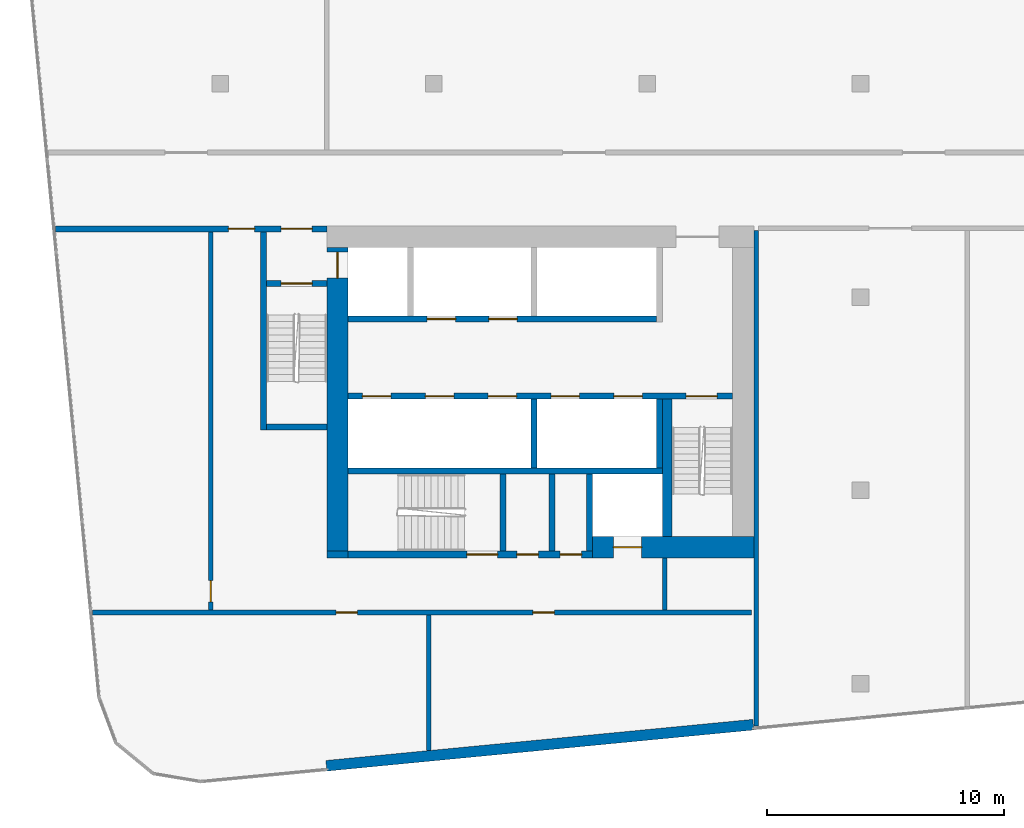
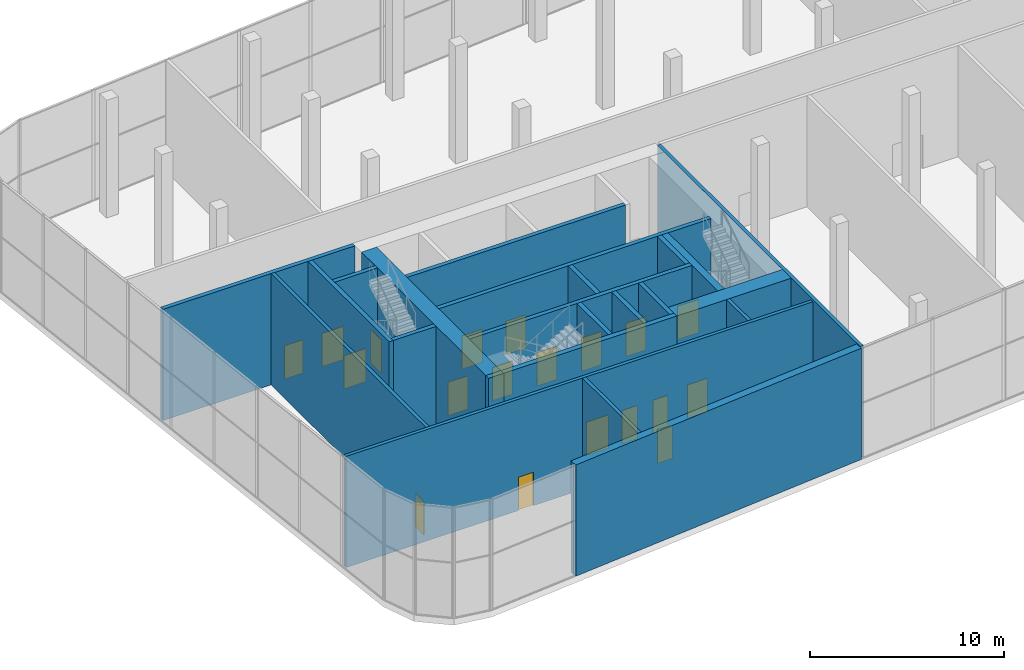
# One storey, part 12 of 25: 23 walls, 19 doors, 19 openings.
"""IFC4 building model written with IfcOpenShell, lengths in metres."""

from ifc_helpers import new_model, si_unit, direction, frame, frame_2d, origin, place, context, subcontext, project, spatial, rectangle, extrude, material, layer, layer_set, type_object, element, fill, save


model = new_model("IFC4")

# Units and contexts
model_context = context("Model", 3, precision=1e-05, world=origin(), true_north=direction((0.0, 1.0)))
body_context = subcontext(model_context, "Body", "Model", "MODEL_VIEW")
ifc_project = project(units=[si_unit("LENGTHUNIT", "METRE"), si_unit("AREAUNIT", "SQUARE_METRE"), si_unit("VOLUMEUNIT", "CUBIC_METRE"), si_unit("PLANEANGLEUNIT", "RADIAN"), si_unit("MASSUNIT", "GRAM", prefix="KILO")], contexts=[model_context])

# Site, building, storey
site_placement = place(None, origin())
site = spatial("IfcSite", under=ifc_project, at=site_placement, CompositionType="ELEMENT")
building_placement = place(site_placement, origin())
building = spatial("IfcBuilding", under=site, at=building_placement, Name="Kajstack Hotel Tower", CompositionType="ELEMENT")
storey_placement = place(building_placement, frame((0.0, 0.0, 155.0)))
storey = spatial("IfcBuildingStorey", under=building, at=storey_placement, Name="L36", CompositionType="ELEMENT", Elevation=155.0)

# Wall, opening, door
ifc_material_1 = material(Name="Concrete C60/75", Category="concrete")
ifc_layer_1 = layer(ifc_material_1, 0.89990234375)
ifc_layer_set_1 = layer_set([ifc_layer_1], Name="Core wall 900")
wall_type_1 = type_object("IfcWallType", Name="Core wall 900", PredefinedType="SHEAR", material=ifc_layer_set_1)
wall_1_placement = place(storey_placement, frame((-20.300048828125, -15.050048828125, 0.0), z_axis=(0.0, 0.0, 1.0), x_axis=(1.0, 0.0, 0.0)))
wall_1 = element("IfcWall", 1, at=wall_1_placement, inside=storey, type_object=wall_type_1, Name="Core wall W RS", PredefinedType="SHEAR", context=body_context, shape_type="SweptSolid", body=[
    extrude(rectangle(XDim=6.800048828125, YDim=0.89990234375, at=frame_2d((3.39990234375, 0.0))), origin(), (0.0, 0.0, 1.0), 7.0),
])
opening_1_placement = place(wall_1_placement, frame((0.875, 0.0, 0.0)))
opening_1 = element("IfcOpeningElement", 2, at=opening_1_placement, cuts=wall_1, Name="Opening LD-SV1", PredefinedType="OPENING", context=body_context, shape_type="SweptSolid", body=[
    extrude(rectangle(XDim=1.199951171875, YDim=2.10009765625, at=frame_2d((0.60009765625, 1.050048828125))), frame((0.0, 0.4599609375, 0.0), z_axis=(0.0, -1.0, 0.0), x_axis=(1.0, 0.0, 0.0)), (0.0, 0.0, 1.0), 0.919921875),
])
ifc_material_2 = material(Name="Stainless steel", Category="steel")
door_type_1 = type_object("IfcDoorType", Name="Lift landing door 1200", OperationType="SLIDING_TO_LEFT", PredefinedType="DOOR", material=ifc_material_2)
door_1_placement = place(opening_1_placement, origin())
door_1 = element("IfcDoor", 3, at=door_1_placement, inside=storey, type_object=door_type_1, Name="Landing door SV1", OperationType="SLIDING_TO_LEFT", OverallHeight=2.10009765625, OverallWidth=1.199951171875, PredefinedType="DOOR", context=body_context, shape_type="SweptSolid", body=[
    extrude(rectangle(XDim=1.199951171875, YDim=2.10009765625, at=frame_2d((0.60009765625, 1.050048828125))), frame((0.0, 0.02490234375, 0.0), z_axis=(0.0, -1.0, 0.0), x_axis=(1.0, 0.0, 0.0)), (0.0, 0.0, 1.0), 0.050048828125),
])
fill(opening_1, door_1)

# Wall
wall_2_placement = place(storey_placement, frame((-31.5, -15.35009765625, 0.0), z_axis=(0.0, 0.0, 1.0), x_axis=(1.0, 0.0, 0.0)))
element("IfcWall", 4, at=wall_2_placement, inside=storey, type_object=wall_type_1, Name="Core wall W RSW", PredefinedType="SHEAR", context=body_context, shape_type="SweptSolid", body=[
    extrude(rectangle(XDim=0.89990234375, YDim=0.300048828125, at=frame_2d((0.449951171875, 0.0))), origin(), (0.0, 0.0, 1.0), 7.0),
])

# Wall, opening, door
wall_3_placement = place(storey_placement, frame((-31.050048828125, -15.199951171875, 0.0), z_axis=(0.0, 0.0, 1.0), x_axis=(0.0, 1.0, 0.0)))
wall_3 = element("IfcWall", 5, at=wall_3_placement, inside=storey, type_object=wall_type_1, Name="Core wall W RW", PredefinedType="SHEAR", context=body_context, shape_type="SweptSolid", body=[
    extrude(rectangle(XDim=12.800048828125, YDim=0.89990234375, at=frame_2d((6.39990234375, 0.0))), origin(), (0.0, 0.0, 1.0), 7.0),
])
opening_2_placement = place(wall_3_placement, frame((11.5, 0.0, 0.0)))
opening_2 = element("IfcOpeningElement", 6, at=opening_2_placement, cuts=wall_3, Name="Opening LD-FF1", PredefinedType="OPENING", context=body_context, shape_type="SweptSolid", body=[
    extrude(rectangle(XDim=1.10009765625, YDim=2.10009765625, at=frame_2d((0.550048828125, 1.050048828125))), frame((0.0, 0.4599609375, 0.0), z_axis=(0.0, -1.0, 0.0), x_axis=(1.0, 0.0, 0.0)), (0.0, 0.0, 1.0), 0.919921875),
])
door_type_2 = type_object("IfcDoorType", Name="Fire-fighting lift landing door 1100", OperationType="SLIDING_TO_LEFT", PredefinedType="DOOR", material=ifc_material_2)
door_2_placement = place(opening_2_placement, origin())
door_2 = element("IfcDoor", 7, at=door_2_placement, inside=storey, type_object=door_type_2, Name="Landing door FF1", OperationType="SLIDING_TO_RIGHT", OverallHeight=2.10009765625, OverallWidth=1.10009765625, PredefinedType="DOOR", context=body_context, shape_type="SweptSolid", body=[
    extrude(rectangle(XDim=1.10009765625, YDim=2.10009765625, at=frame_2d((0.550048828125, 1.050048828125))), frame((0.0, 0.02490234375, 0.0), z_axis=(0.0, -1.0, 0.0), x_axis=(1.0, 0.0, 0.0)), (0.0, 0.0, 1.0), 0.050048828125),
])
fill(opening_2, door_2)

# Walls
ifc_material_3 = material(Name="Concrete C40/50", Category="concrete")
ifc_layer_2 = layer(ifc_material_3, 0.449951171875)
ifc_layer_set_2 = layer_set([ifc_layer_2], Name="EW-CORE")
wall_type_2 = type_object("IfcWallType", Name="EW-CORE", PredefinedType="SOLIDWALL", material=ifc_layer_set_2)
wall_4_placement = place(storey_placement, frame((-31.521484375, -24.26171875, 0.0), z_axis=(0.0, 0.0, 1.0), x_axis=(0.995396454615, 0.095843091245, 0.0)))
element("IfcWall", 8, at=wall_4_placement, inside=storey, type_object=wall_type_2, Name="E-wall-L36-04-01", PredefinedType="SOLIDWALL", context=body_context, shape_type="SweptSolid", body=[
    extrude(rectangle(XDim=18.083251953125, YDim=0.449951171875, at=frame_2d((9.04150390625, 0.0))), origin(), (0.0, 0.0, 1.0), 7.0),
])
ifc_material_4 = material(Name="Concrete C50/60", Category="concrete")
ifc_layer_3 = layer(ifc_material_4, 0.300048828125)
ifc_layer_set_3 = layer_set([ifc_layer_3], Name="Hoistway divider wall 300")
wall_type_3 = type_object("IfcWallType", Name="Hoistway divider wall 300", PredefinedType="SHEAR", material=ifc_layer_set_3)
wall_5_placement = place(storey_placement, frame((-22.77490234375, -11.699951171875, 0.0), z_axis=(0.0, 0.0, 1.0), x_axis=(0.0, 1.0, 0.0)))
element("IfcWall", 9, at=wall_5_placement, inside=storey, type_object=wall_type_3, Name="Core wall W BP2", PredefinedType="SHEAR", context=body_context, shape_type="SweptSolid", body=[
    extrude(rectangle(XDim=2.89990234375, YDim=0.25, at=frame_2d((1.449951171875, 0.0))), origin(), (0.0, 0.0, 1.0), 7.0),
])
ifc_material_5 = material(Name="Gypsum board on steel studs, mineral wool", Category="steel")
ifc_layer_4 = layer(ifc_material_5, 0.199951171875)
ifc_layer_set_4 = layer_set([ifc_layer_4], Name="Public partition 200")
wall_type_4 = type_object("IfcWallType", Name="Public partition 200", PredefinedType="PARTITIONING", material=ifc_layer_set_4)
wall_6_placement = place(storey_placement, frame((-13.39990234375, -22.59228515625, 0.0), z_axis=(0.0, 0.0, 1.0), x_axis=(0.0, 1.0, 0.0)))
element("IfcWall", 10, at=wall_6_placement, inside=storey, type_object=wall_type_4, Name="Partition SEW", PredefinedType="PARTITIONING", context=body_context, shape_type="SweptSolid", body=[
    extrude(rectangle(XDim=20.892333984375, YDim=0.199951171875, at=frame_2d((10.4462890625, 0.0))), origin(), (0.0, 0.0, 1.0), 7.0),
])
ifc_material_6 = material(Name="Concrete block masonry", Category="masonry")
ifc_layer_5 = layer(ifc_material_6, 0.25)
ifc_layer_set_5 = layer_set([ifc_layer_5], Name="Riser partition 250")
wall_type_5 = type_object("IfcWallType", Name="Riser partition 250", PredefinedType="PARTITIONING", material=ifc_layer_set_5)
wall_7_placement = place(storey_placement, frame((-22.0, -15.199951171875, 0.0), z_axis=(0.0, 0.0, 1.0), x_axis=(0.0, 1.0, 0.0)))
element("IfcWall", 11, at=wall_7_placement, inside=storey, type_object=wall_type_5, Name="Partition W SZ0", PredefinedType="PARTITIONING", context=body_context, shape_type="SweptSolid", body=[
    extrude(rectangle(XDim=3.25, YDim=0.25, at=frame_2d((1.625, 0.0))), origin(), (0.0, 0.0, 1.0), 7.0),
])

# Wall, openings, doors
ifc_layer_6 = layer(ifc_material_5, 0.199951171875)
ifc_layer_set_6 = layer_set([ifc_layer_6], Name="Service partition 200")
wall_type_6 = type_object("IfcWallType", Name="Service partition 200", PredefinedType="PARTITIONING", material=ifc_layer_set_6)
wall_8_placement = place(storey_placement, frame((-42.932861328125, -1.625, 0.0), z_axis=(0.0, 0.0, 1.0), x_axis=(1.0, 0.0, 0.0)))
wall_8 = element("IfcWall", 12, at=wall_8_placement, inside=storey, type_object=wall_type_6, Name="Partition W SN", PredefinedType="PARTITIONING", context=body_context, shape_type="SweptSolid", body=[
    extrude(rectangle(XDim=11.432861328125, YDim=0.25, at=frame_2d((5.71630859375, 0.0))), origin(), (0.0, 0.0, 1.0), 7.0),
])
opening_3_placement = place(wall_8_placement, frame((9.5078125, 0.0, 0.0)))
opening_3 = element("IfcOpeningElement", 13, at=opening_3_placement, cuts=wall_8, Name="Opening 36W11", PredefinedType="OPENING", context=body_context, shape_type="SweptSolid", body=[
    extrude(rectangle(XDim=1.300048828125, YDim=2.10009765625, at=frame_2d((0.64990234375, 1.050048828125))), frame((0.0, 0.135009765625, 0.0), z_axis=(0.0, -1.0, 0.0), x_axis=(1.0, 0.0, 0.0)), (0.0, 0.0, 1.0), 0.27001953125),
])
opening_4_placement = place(wall_8_placement, frame((7.282958984375, 0.0, 0.0)))
opening_4 = element("IfcOpeningElement", 14, at=opening_4_placement, cuts=wall_8, Name="Opening 36W13", PredefinedType="OPENING", context=body_context, shape_type="SweptSolid", body=[
    extrude(rectangle(XDim=1.10009765625, YDim=2.10009765625, at=frame_2d((0.550048828125, 1.050048828125))), frame((0.0, 0.135009765625, 0.0), z_axis=(0.0, -1.0, 0.0), x_axis=(1.0, 0.0, 0.0)), (0.0, 0.0, 1.0), 0.27001953125),
])
ifc_material_7 = material(Name="Steel leaf, fire-rated", Category="steel")
door_type_3 = type_object("IfcDoorType", Name="Fire lobby door 1300", OperationType="SINGLE_SWING_LEFT", PredefinedType="DOOR", material=ifc_material_7)
door_3_placement = place(opening_3_placement, origin())
door_3 = element("IfcDoor", 15, at=door_3_placement, inside=storey, type_object=door_type_3, Name="Door 36W11", OperationType="SINGLE_SWING_RIGHT", OverallHeight=2.10009765625, OverallWidth=1.300048828125, PredefinedType="DOOR", context=body_context, shape_type="SweptSolid", body=[
    extrude(rectangle(XDim=1.300048828125, YDim=2.10009765625, at=frame_2d((0.64990234375, 1.050048828125))), frame((0.0, 0.02490234375, 0.0), z_axis=(0.0, -1.0, 0.0), x_axis=(1.0, 0.0, 0.0)), (0.0, 0.0, 1.0), 0.050048828125),
])
fill(opening_3, door_3)
ifc_material_8 = material(Name="Timber leaf, fire-rated", Category="wood")
door_type_4 = type_object("IfcDoorType", Name="Service corridor door 1100", OperationType="SINGLE_SWING_LEFT", PredefinedType="DOOR", material=ifc_material_8)
door_4_placement = place(opening_4_placement, origin())
door_4 = element("IfcDoor", 16, at=door_4_placement, inside=storey, type_object=door_type_4, Name="Door 36W13", OperationType="SINGLE_SWING_RIGHT", OverallHeight=2.10009765625, OverallWidth=1.10009765625, PredefinedType="DOOR", context=body_context, shape_type="SweptSolid", body=[
    extrude(rectangle(XDim=1.10009765625, YDim=2.10009765625, at=frame_2d((0.550048828125, 1.050048828125))), frame((0.0, 0.02490234375, 0.0), z_axis=(0.0, -1.0, 0.0), x_axis=(1.0, 0.0, 0.0)), (0.0, 0.0, 1.0), 0.050048828125),
])
fill(opening_4, door_4)

# Wall
wall_9_placement = place(storey_placement, frame((-17.25, -17.699951171875, 0.0), z_axis=(0.0, 0.0, 1.0), x_axis=(0.0, 1.0, 0.0)))
element("IfcWall", 17, at=wall_9_placement, inside=storey, type_object=wall_type_6, Name="Partition W SCE", PredefinedType="PARTITIONING", context=body_context, shape_type="SweptSolid", body=[
    extrude(rectangle(XDim=2.199951171875, YDim=0.199951171875, at=frame_2d((1.10009765625, 0.0))), origin(), (0.0, 0.0, 1.0), 7.0),
])

# Wall, opening, door
wall_10_placement = place(storey_placement, frame((-36.39990234375, -17.699951171875, 0.0), z_axis=(0.0, 0.0, 1.0), x_axis=(0.0, 1.0, 0.0)))
wall_10 = element("IfcWall", 18, at=wall_10_placement, inside=storey, type_object=wall_type_6, Name="Partition W WRE", PredefinedType="PARTITIONING", context=body_context, shape_type="SweptSolid", body=[
    extrude(rectangle(XDim=15.949951171875, YDim=0.199951171875, at=frame_2d((7.97509765625, 0.0))), origin(), (0.0, 0.0, 1.0), 7.0),
])
opening_5_placement = place(wall_10_placement, frame((0.35009765625, 0.0, 0.0)))
opening_5 = element("IfcOpeningElement", 19, at=opening_5_placement, cuts=wall_10, Name="Opening 36W20", PredefinedType="OPENING", context=body_context, shape_type="SweptSolid", body=[
    extrude(rectangle(XDim=0.89990234375, YDim=2.10009765625, at=frame_2d((0.449951171875, 1.050048828125))), frame((0.0, 0.10986328125, 0.0), z_axis=(0.0, -1.0, 0.0), x_axis=(1.0, 0.0, 0.0)), (0.0, 0.0, 1.0), 0.219970703125),
])
door_type_5 = type_object("IfcDoorType", Name="Service door 900", OperationType="SINGLE_SWING_LEFT", PredefinedType="DOOR", material=ifc_material_8)
door_5_placement = place(opening_5_placement, origin())
door_5 = element("IfcDoor", 20, at=door_5_placement, inside=storey, type_object=door_type_5, Name="Door 36W20", OperationType="SINGLE_SWING_LEFT", OverallHeight=2.10009765625, OverallWidth=0.89990234375, PredefinedType="DOOR", context=body_context, shape_type="SweptSolid", body=[
    extrude(rectangle(XDim=0.89990234375, YDim=2.10009765625, at=frame_2d((0.449951171875, 1.050048828125))), frame((0.0, 0.02490234375, 0.0), z_axis=(0.0, -1.0, 0.0), x_axis=(1.0, 0.0, 0.0)), (0.0, 0.0, 1.0), 0.050048828125),
])
fill(opening_5, door_5)

# Wall, openings, doors
wall_11_placement = place(storey_placement, frame((-41.37548828125, -17.800048828125, 0.0), z_axis=(0.0, 0.0, 1.0), x_axis=(1.0, 0.0, 0.0)))
wall_11 = element("IfcWall", 21, at=wall_11_placement, inside=storey, type_object=wall_type_6, Name="Partition W SLN", PredefinedType="PARTITIONING", context=body_context, shape_type="SweptSolid", body=[
    extrude(rectangle(XDim=27.775390625, YDim=0.199951171875, at=frame_2d((13.8876953125, 0.0))), origin(), (0.0, 0.0, 1.0), 7.0),
])
opening_6_placement = place(wall_11_placement, frame((10.262939453125, 0.0, 0.0)))
opening_6 = element("IfcOpeningElement", 22, at=opening_6_placement, cuts=wall_11, Name="Opening 36W18", PredefinedType="OPENING", context=body_context, shape_type="SweptSolid", body=[
    extrude(rectangle(XDim=0.89990234375, YDim=2.10009765625, at=frame_2d((0.449951171875, 1.050048828125))), frame((0.0, 0.10986328125, 0.0), z_axis=(0.0, -1.0, 0.0), x_axis=(1.0, 0.0, 0.0)), (0.0, 0.0, 1.0), 0.219970703125),
])
opening_7_placement = place(wall_11_placement, frame((18.56298828125, 0.0, 0.0)))
opening_7 = element("IfcOpeningElement", 23, at=opening_7_placement, cuts=wall_11, Name="Opening 36W19", PredefinedType="OPENING", context=body_context, shape_type="SweptSolid", body=[
    extrude(rectangle(XDim=0.89990234375, YDim=2.10009765625, at=frame_2d((0.449951171875, 1.050048828125))), frame((0.0, 0.10986328125, 0.0), z_axis=(0.0, -1.0, 0.0), x_axis=(1.0, 0.0, 0.0)), (0.0, 0.0, 1.0), 0.219970703125),
])
door_6_placement = place(opening_6_placement, origin())
door_6 = element("IfcDoor", 24, at=door_6_placement, inside=storey, type_object=door_type_5, Name="Door 36W18", OperationType="SINGLE_SWING_RIGHT", OverallHeight=2.10009765625, OverallWidth=0.89990234375, PredefinedType="DOOR", context=body_context, shape_type="SweptSolid", body=[
    extrude(rectangle(XDim=0.89990234375, YDim=2.10009765625, at=frame_2d((0.449951171875, 1.050048828125))), frame((0.0, 0.02490234375, 0.0), z_axis=(0.0, -1.0, 0.0), x_axis=(1.0, 0.0, 0.0)), (0.0, 0.0, 1.0), 0.050048828125),
])
fill(opening_6, door_6)
door_7_placement = place(opening_7_placement, origin())
door_7 = element("IfcDoor", 25, at=door_7_placement, inside=storey, type_object=door_type_5, Name="Door 36W19", OperationType="SINGLE_SWING_RIGHT", OverallHeight=2.10009765625, OverallWidth=0.89990234375, PredefinedType="DOOR", context=body_context, shape_type="SweptSolid", body=[
    extrude(rectangle(XDim=0.89990234375, YDim=2.10009765625, at=frame_2d((0.449951171875, 1.050048828125))), frame((0.0, 0.02490234375, 0.0), z_axis=(0.0, -1.0, 0.0), x_axis=(1.0, 0.0, 0.0)), (0.0, 0.0, 1.0), 0.050048828125),
])
fill(opening_7, door_7)

# Wall
wall_12_placement = place(storey_placement, frame((-27.199951171875, -23.62060546875, 0.0), z_axis=(0.0, 0.0, 1.0), x_axis=(0.0, 1.0, 0.0)))
element("IfcWall", 26, at=wall_12_placement, inside=storey, type_object=wall_type_6, Name="Partition W SLP0", PredefinedType="PARTITIONING", context=body_context, shape_type="SweptSolid", body=[
    extrude(rectangle(XDim=5.720703125, YDim=0.199951171875, at=frame_2d((2.8603515625, 0.0))), origin(), (0.0, 0.0, 1.0), 7.0),
])

# Wall, openings, doors
ifc_layer_7 = layer(ifc_material_4, 0.25)
ifc_layer_set_7 = layer_set([ifc_layer_7], Name="Shaft wall 250")
wall_type_7 = type_object("IfcWallType", Name="Shaft wall 250", PredefinedType="SHEAR", material=ifc_layer_set_7)
wall_13_placement = place(storey_placement, frame((-30.60009765625, -15.35009765625, 0.0), z_axis=(0.0, 0.0, 1.0), x_axis=(1.0, 0.0, 0.0)))
wall_13 = element("IfcWall", 27, at=wall_13_placement, inside=storey, type_object=wall_type_7, Name="Core wall W RSS", PredefinedType="SHEAR", context=body_context, shape_type="SweptSolid", body=[
    extrude(rectangle(XDim=10.300048828125, YDim=0.300048828125, at=frame_2d((5.14990234375, 0.0))), origin(), (0.0, 0.0, 1.0), 7.0),
])
opening_8_placement = place(wall_13_placement, frame((5.0, 0.0, 0.0)))
opening_8 = element("IfcOpeningElement", 28, at=opening_8_placement, cuts=wall_13, Name="Opening 36W15", PredefinedType="OPENING", context=body_context, shape_type="SweptSolid", body=[
    extrude(rectangle(XDim=1.300048828125, YDim=2.10009765625, at=frame_2d((0.64990234375, 1.050048828125))), frame((0.0, 0.159912109375, 0.0), z_axis=(0.0, -1.0, 0.0), x_axis=(1.0, 0.0, 0.0)), (0.0, 0.0, 1.0), 0.320068359375),
])
opening_9_placement = place(wall_13_placement, frame((7.112548828125, 0.0, 0.0)))
opening_9 = element("IfcOpeningElement", 29, at=opening_9_placement, cuts=wall_13, Name="Opening 36W16", PredefinedType="OPENING", context=body_context, shape_type="SweptSolid", body=[
    extrude(rectangle(XDim=0.89990234375, YDim=2.10009765625, at=frame_2d((0.449951171875, 1.050048828125))), frame((0.0, 0.159912109375, 0.0), z_axis=(0.0, -1.0, 0.0), x_axis=(1.0, 0.0, 0.0)), (0.0, 0.0, 1.0), 0.320068359375),
])
opening_10_placement = place(wall_13_placement, frame((8.9375, 0.0, 0.0)))
opening_10 = element("IfcOpeningElement", 30, at=opening_10_placement, cuts=wall_13, Name="Opening 36W17", PredefinedType="OPENING", context=body_context, shape_type="SweptSolid", body=[
    extrude(rectangle(XDim=0.89990234375, YDim=2.10009765625, at=frame_2d((0.449951171875, 1.050048828125))), frame((0.0, 0.159912109375, 0.0), z_axis=(0.0, -1.0, 0.0), x_axis=(1.0, 0.0, 0.0)), (0.0, 0.0, 1.0), 0.320068359375),
])
door_8_placement = place(opening_9_placement, origin())
door_8 = element("IfcDoor", 31, at=door_8_placement, inside=storey, type_object=door_type_5, Name="Door 36W16", OperationType="SINGLE_SWING_LEFT", OverallHeight=2.10009765625, OverallWidth=0.89990234375, PredefinedType="DOOR", context=body_context, shape_type="SweptSolid", body=[
    extrude(rectangle(XDim=0.89990234375, YDim=2.10009765625, at=frame_2d((0.449951171875, 1.050048828125))), frame((0.0, 0.02490234375, 0.0), z_axis=(0.0, -1.0, 0.0), x_axis=(1.0, 0.0, 0.0)), (0.0, 0.0, 1.0), 0.050048828125),
])
fill(opening_9, door_8)
door_9_placement = place(opening_10_placement, origin())
door_9 = element("IfcDoor", 32, at=door_9_placement, inside=storey, type_object=door_type_5, Name="Door 36W17", OperationType="SINGLE_SWING_LEFT", OverallHeight=2.10009765625, OverallWidth=0.89990234375, PredefinedType="DOOR", context=body_context, shape_type="SweptSolid", body=[
    extrude(rectangle(XDim=0.89990234375, YDim=2.10009765625, at=frame_2d((0.449951171875, 1.050048828125))), frame((0.0, 0.02490234375, 0.0), z_axis=(0.0, -1.0, 0.0), x_axis=(1.0, 0.0, 0.0)), (0.0, 0.0, 1.0), 0.050048828125),
])
fill(opening_10, door_9)
door_type_6 = type_object("IfcDoorType", Name="Stair door 1300", OperationType="SINGLE_SWING_LEFT", PredefinedType="DOOR", material=ifc_material_7)
door_10_placement = place(opening_8_placement, origin())
door_10 = element("IfcDoor", 33, at=door_10_placement, inside=storey, type_object=door_type_6, Name="Door 36W15", OperationType="SINGLE_SWING_RIGHT", OverallHeight=2.10009765625, OverallWidth=1.300048828125, PredefinedType="DOOR", context=body_context, shape_type="SweptSolid", body=[
    extrude(rectangle(XDim=1.300048828125, YDim=2.10009765625, at=frame_2d((0.64990234375, 1.050048828125))), frame((0.0, 0.02490234375, 0.0), z_axis=(0.0, -1.0, 0.0), x_axis=(1.0, 0.0, 0.0)), (0.0, 0.0, 1.0), 0.050048828125),
])
fill(opening_8, door_10)

wall_14_placement = place(storey_placement, frame((-30.60009765625, -5.425048828125, 0.0), z_axis=(0.0, 0.0, 1.0), x_axis=(1.0, 0.0, 0.0)))
wall_14 = element("IfcWall", 34, at=wall_14_placement, inside=storey, type_object=wall_type_7, Name="Core wall W FA", PredefinedType="SHEAR", context=body_context, shape_type="SweptSolid", body=[
    extrude(rectangle(XDim=13.0, YDim=0.25, at=frame_2d((6.5, 0.0))), origin(), (0.0, 0.0, 1.0), 7.0),
])
opening_11_placement = place(wall_14_placement, frame((3.324951171875, 0.0, 0.0)))
opening_11 = element("IfcOpeningElement", 35, at=opening_11_placement, cuts=wall_14, Name="Opening LD-MR3", PredefinedType="OPENING", context=body_context, shape_type="SweptSolid", body=[
    extrude(rectangle(XDim=1.199951171875, YDim=2.10009765625, at=frame_2d((0.60009765625, 1.050048828125))), frame((0.0, 0.135009765625, 0.0), z_axis=(0.0, -1.0, 0.0), x_axis=(1.0, 0.0, 0.0)), (0.0, 0.0, 1.0), 0.27001953125),
])
opening_12_placement = place(wall_14_placement, frame((5.925048828125, 0.0, 0.0)))
opening_12 = element("IfcOpeningElement", 36, at=opening_12_placement, cuts=wall_14, Name="Opening LD-MR4", PredefinedType="OPENING", context=body_context, shape_type="SweptSolid", body=[
    extrude(rectangle(XDim=1.199951171875, YDim=2.10009765625, at=frame_2d((0.60009765625, 1.050048828125))), frame((0.0, 0.135009765625, 0.0), z_axis=(0.0, -1.0, 0.0), x_axis=(1.0, 0.0, 0.0)), (0.0, 0.0, 1.0), 0.27001953125),
])
door_11_placement = place(opening_11_placement, origin())
door_11 = element("IfcDoor", 37, at=door_11_placement, inside=storey, type_object=door_type_1, Name="Landing door MR3", OperationType="SLIDING_TO_RIGHT", OverallHeight=2.10009765625, OverallWidth=1.199951171875, PredefinedType="DOOR", context=body_context, shape_type="SweptSolid", body=[
    extrude(rectangle(XDim=1.199951171875, YDim=2.10009765625, at=frame_2d((0.60009765625, 1.050048828125))), frame((0.0, 0.02490234375, 0.0), z_axis=(0.0, -1.0, 0.0), x_axis=(1.0, 0.0, 0.0)), (0.0, 0.0, 1.0), 0.050048828125),
])
fill(opening_11, door_11)
door_12_placement = place(opening_12_placement, origin())
door_12 = element("IfcDoor", 38, at=door_12_placement, inside=storey, type_object=door_type_1, Name="Landing door MR4", OperationType="SLIDING_TO_RIGHT", OverallHeight=2.10009765625, OverallWidth=1.199951171875, PredefinedType="DOOR", context=body_context, shape_type="SweptSolid", body=[
    extrude(rectangle(XDim=1.199951171875, YDim=2.10009765625, at=frame_2d((0.60009765625, 1.050048828125))), frame((0.0, 0.02490234375, 0.0), z_axis=(0.0, -1.0, 0.0), x_axis=(1.0, 0.0, 0.0)), (0.0, 0.0, 1.0), 0.050048828125),
])
fill(opening_12, door_12)

wall_15_placement = place(storey_placement, frame((-30.60009765625, -8.675048828125, 0.0), z_axis=(0.0, 0.0, 1.0), x_axis=(1.0, 0.0, 0.0)))
wall_15 = element("IfcWall", 39, at=wall_15_placement, inside=storey, type_object=wall_type_7, Name="Core wall W FB", PredefinedType="SHEAR", context=body_context, shape_type="SweptSolid", body=[
    extrude(rectangle(XDim=16.2001953125, YDim=0.25, at=frame_2d((8.10009765625, 0.0))), origin(), (0.0, 0.0, 1.0), 7.0),
])
opening_13_placement = place(wall_15_placement, frame((0.60009765625, 0.0, 0.0)))
opening_13 = element("IfcOpeningElement", 40, at=opening_13_placement, cuts=wall_15, Name="Opening LD-LR1", PredefinedType="OPENING", context=body_context, shape_type="SweptSolid", body=[
    extrude(rectangle(XDim=1.199951171875, YDim=2.10009765625, at=frame_2d((0.60009765625, 1.050048828125))), frame((0.0, 0.135009765625, 0.0), z_axis=(0.0, -1.0, 0.0), x_axis=(1.0, 0.0, 0.0)), (0.0, 0.0, 1.0), 0.27001953125),
])
opening_14_placement = place(wall_15_placement, frame((3.25, 0.0, 0.0)))
opening_14 = element("IfcOpeningElement", 41, at=opening_14_placement, cuts=wall_15, Name="Opening LD-LR2", PredefinedType="OPENING", context=body_context, shape_type="SweptSolid", body=[
    extrude(rectangle(XDim=1.199951171875, YDim=2.10009765625, at=frame_2d((0.60009765625, 1.050048828125))), frame((0.0, 0.135009765625, 0.0), z_axis=(0.0, -1.0, 0.0), x_axis=(1.0, 0.0, 0.0)), (0.0, 0.0, 1.0), 0.27001953125),
])
opening_15_placement = place(wall_15_placement, frame((5.89990234375, 0.0, 0.0)))
opening_15 = element("IfcOpeningElement", 42, at=opening_15_placement, cuts=wall_15, Name="Opening LD-LR3", PredefinedType="OPENING", context=body_context, shape_type="SweptSolid", body=[
    extrude(rectangle(XDim=1.199951171875, YDim=2.10009765625, at=frame_2d((0.60009765625, 1.050048828125))), frame((0.0, 0.135009765625, 0.0), z_axis=(0.0, -1.0, 0.0), x_axis=(1.0, 0.0, 0.0)), (0.0, 0.0, 1.0), 0.27001953125),
])
opening_16_placement = place(wall_15_placement, frame((8.550048828125, 0.0, 0.0)))
opening_16 = element("IfcOpeningElement", 43, at=opening_16_placement, cuts=wall_15, Name="Opening LD-MR1", PredefinedType="OPENING", context=body_context, shape_type="SweptSolid", body=[
    extrude(rectangle(XDim=1.199951171875, YDim=2.10009765625, at=frame_2d((0.60009765625, 1.050048828125))), frame((0.0, 0.135009765625, 0.0), z_axis=(0.0, -1.0, 0.0), x_axis=(1.0, 0.0, 0.0)), (0.0, 0.0, 1.0), 0.27001953125),
])
opening_17_placement = place(wall_15_placement, frame((11.199951171875, 0.0, 0.0)))
opening_17 = element("IfcOpeningElement", 44, at=opening_17_placement, cuts=wall_15, Name="Opening LD-MR2", PredefinedType="OPENING", context=body_context, shape_type="SweptSolid", body=[
    extrude(rectangle(XDim=1.199951171875, YDim=2.10009765625, at=frame_2d((0.60009765625, 1.050048828125))), frame((0.0, 0.135009765625, 0.0), z_axis=(0.0, -1.0, 0.0), x_axis=(1.0, 0.0, 0.0)), (0.0, 0.0, 1.0), 0.27001953125),
])
opening_18_placement = place(wall_15_placement, frame((14.25, 0.0, 0.0)))
opening_18 = element("IfcOpeningElement", 45, at=opening_18_placement, cuts=wall_15, Name="Opening 36W14", PredefinedType="OPENING", context=body_context, shape_type="SweptSolid", body=[
    extrude(rectangle(XDim=1.300048828125, YDim=2.10009765625, at=frame_2d((0.64990234375, 1.050048828125))), frame((0.0, 0.135009765625, 0.0), z_axis=(0.0, -1.0, 0.0), x_axis=(1.0, 0.0, 0.0)), (0.0, 0.0, 1.0), 0.27001953125),
])
door_13_placement = place(opening_13_placement, origin())
door_13 = element("IfcDoor", 46, at=door_13_placement, inside=storey, type_object=door_type_1, Name="Landing door LR1", OperationType="SLIDING_TO_LEFT", OverallHeight=2.10009765625, OverallWidth=1.199951171875, PredefinedType="DOOR", context=body_context, shape_type="SweptSolid", body=[
    extrude(rectangle(XDim=1.199951171875, YDim=2.10009765625, at=frame_2d((0.60009765625, 1.050048828125))), frame((0.0, 0.02490234375, 0.0), z_axis=(0.0, -1.0, 0.0), x_axis=(1.0, 0.0, 0.0)), (0.0, 0.0, 1.0), 0.050048828125),
])
fill(opening_13, door_13)
door_14_placement = place(opening_14_placement, origin())
door_14 = element("IfcDoor", 47, at=door_14_placement, inside=storey, type_object=door_type_1, Name="Landing door LR2", OperationType="SLIDING_TO_RIGHT", OverallHeight=2.10009765625, OverallWidth=1.199951171875, PredefinedType="DOOR", context=body_context, shape_type="SweptSolid", body=[
    extrude(rectangle(XDim=1.199951171875, YDim=2.10009765625, at=frame_2d((0.60009765625, 1.050048828125))), frame((0.0, 0.02490234375, 0.0), z_axis=(0.0, -1.0, 0.0), x_axis=(1.0, 0.0, 0.0)), (0.0, 0.0, 1.0), 0.050048828125),
])
fill(opening_14, door_14)
door_15_placement = place(opening_15_placement, origin())
door_15 = element("IfcDoor", 48, at=door_15_placement, inside=storey, type_object=door_type_1, Name="Landing door LR3", OperationType="SLIDING_TO_RIGHT", OverallHeight=2.10009765625, OverallWidth=1.199951171875, PredefinedType="DOOR", context=body_context, shape_type="SweptSolid", body=[
    extrude(rectangle(XDim=1.199951171875, YDim=2.10009765625, at=frame_2d((0.60009765625, 1.050048828125))), frame((0.0, 0.02490234375, 0.0), z_axis=(0.0, -1.0, 0.0), x_axis=(1.0, 0.0, 0.0)), (0.0, 0.0, 1.0), 0.050048828125),
])
fill(opening_15, door_15)
door_16_placement = place(opening_16_placement, origin())
door_16 = element("IfcDoor", 49, at=door_16_placement, inside=storey, type_object=door_type_1, Name="Landing door MR1", OperationType="SLIDING_TO_LEFT", OverallHeight=2.10009765625, OverallWidth=1.199951171875, PredefinedType="DOOR", context=body_context, shape_type="SweptSolid", body=[
    extrude(rectangle(XDim=1.199951171875, YDim=2.10009765625, at=frame_2d((0.60009765625, 1.050048828125))), frame((0.0, 0.02490234375, 0.0), z_axis=(0.0, -1.0, 0.0), x_axis=(1.0, 0.0, 0.0)), (0.0, 0.0, 1.0), 0.050048828125),
])
fill(opening_16, door_16)
door_17_placement = place(opening_17_placement, origin())
door_17 = element("IfcDoor", 50, at=door_17_placement, inside=storey, type_object=door_type_1, Name="Landing door MR2", OperationType="SLIDING_TO_RIGHT", OverallHeight=2.10009765625, OverallWidth=1.199951171875, PredefinedType="DOOR", context=body_context, shape_type="SweptSolid", body=[
    extrude(rectangle(XDim=1.199951171875, YDim=2.10009765625, at=frame_2d((0.60009765625, 1.050048828125))), frame((0.0, 0.02490234375, 0.0), z_axis=(0.0, -1.0, 0.0), x_axis=(1.0, 0.0, 0.0)), (0.0, 0.0, 1.0), 0.050048828125),
])
fill(opening_17, door_17)
door_18_placement = place(opening_18_placement, origin())
door_18 = element("IfcDoor", 51, at=door_18_placement, inside=storey, type_object=door_type_6, Name="Door 36W14", OperationType="SINGLE_SWING_RIGHT", OverallHeight=2.10009765625, OverallWidth=1.300048828125, PredefinedType="DOOR", context=body_context, shape_type="SweptSolid", body=[
    extrude(rectangle(XDim=1.300048828125, YDim=2.10009765625, at=frame_2d((0.64990234375, 1.050048828125))), frame((0.0, 0.02490234375, 0.0), z_axis=(0.0, -1.0, 0.0), x_axis=(1.0, 0.0, 0.0)), (0.0, 0.0, 1.0), 0.050048828125),
])
fill(opening_18, door_18)

# Walls
wall_16_placement = place(storey_placement, frame((-30.60009765625, -11.824951171875, 0.0), z_axis=(0.0, 0.0, 1.0), x_axis=(1.0, 0.0, 0.0)))
element("IfcWall", 52, at=wall_16_placement, inside=storey, type_object=wall_type_7, Name="Core wall W RB", PredefinedType="SHEAR", context=body_context, shape_type="SweptSolid", body=[
    extrude(rectangle(XDim=13.25, YDim=0.25, at=frame_2d((6.625, 0.0))), origin(), (0.0, 0.0, 1.0), 7.0),
])
wall_17_placement = place(storey_placement, frame((-17.47509765625, -11.699951171875, 0.0), z_axis=(0.0, 0.0, 1.0), x_axis=(0.0, 1.0, 0.0)))
element("IfcWall", 53, at=wall_17_placement, inside=storey, type_object=wall_type_7, Name="Core wall W BE", PredefinedType="SHEAR", context=body_context, shape_type="SweptSolid", body=[
    extrude(rectangle(XDim=2.89990234375, YDim=0.25, at=frame_2d((1.449951171875, 0.0))), origin(), (0.0, 0.0, 1.0), 7.0),
])
wall_18_placement = place(storey_placement, frame((-20.425048828125, -15.199951171875, 0.0), z_axis=(0.0, 0.0, 1.0), x_axis=(0.0, 1.0, 0.0)))
element("IfcWall", 54, at=wall_18_placement, inside=storey, type_object=wall_type_7, Name="Core wall W SVW", PredefinedType="SHEAR", context=body_context, shape_type="SweptSolid", body=[
    extrude(rectangle(XDim=3.25, YDim=0.25, at=frame_2d((1.625, 0.0))), origin(), (0.0, 0.0, 1.0), 7.0),
])

# Wall, opening, door
ifc_layer_8 = layer(ifc_material_3, 0.25)
ifc_layer_set_8 = layer_set([ifc_layer_8], Name="Stair enclosure wall 250")
wall_type_8 = type_object("IfcWallType", Name="Stair enclosure wall 250", PredefinedType="SHEAR", material=ifc_layer_set_8)
wall_19_placement = place(storey_placement, frame((-34.050048828125, -3.925048828125, 0.0), z_axis=(0.0, 0.0, 1.0), x_axis=(1.0, 0.0, 0.0)))
wall_19 = element("IfcWall", 55, at=wall_19_placement, inside=storey, type_object=wall_type_8, Name="Core wall W W1N", PredefinedType="SHEAR", context=body_context, shape_type="SweptSolid", body=[
    extrude(rectangle(XDim=2.550048828125, YDim=0.25, at=frame_2d((1.27490234375, 0.0))), origin(), (0.0, 0.0, 1.0), 7.0),
])
opening_19_placement = place(wall_19_placement, frame((0.625, 0.0, 0.0)))
opening_19 = element("IfcOpeningElement", 56, at=opening_19_placement, cuts=wall_19, Name="Opening 36W12", PredefinedType="OPENING", context=body_context, shape_type="SweptSolid", body=[
    extrude(rectangle(XDim=1.300048828125, YDim=2.10009765625, at=frame_2d((0.64990234375, 1.050048828125))), frame((0.0, 0.135009765625, 0.0), z_axis=(0.0, -1.0, 0.0), x_axis=(1.0, 0.0, 0.0)), (0.0, 0.0, 1.0), 0.27001953125),
])
door_19_placement = place(opening_19_placement, origin())
door_19 = element("IfcDoor", 57, at=door_19_placement, inside=storey, type_object=door_type_6, Name="Door 36W12", OperationType="SINGLE_SWING_RIGHT", OverallHeight=2.10009765625, OverallWidth=1.300048828125, PredefinedType="DOOR", context=body_context, shape_type="SweptSolid", body=[
    extrude(rectangle(XDim=1.300048828125, YDim=2.10009765625, at=frame_2d((0.64990234375, 1.050048828125))), frame((0.0, 0.02490234375, 0.0), z_axis=(0.0, -1.0, 0.0), x_axis=(1.0, 0.0, 0.0)), (0.0, 0.0, 1.0), 0.050048828125),
])
fill(opening_19, door_19)

# Walls
wall_20_placement = place(storey_placement, frame((-34.175048828125, -10.10009765625, 0.0), z_axis=(0.0, 0.0, 1.0), x_axis=(0.0, 1.0, 0.0)))
element("IfcWall", 58, at=wall_20_placement, inside=storey, type_object=wall_type_8, Name="Core wall W W1W", PredefinedType="SHEAR", context=body_context, shape_type="SweptSolid", body=[
    extrude(rectangle(XDim=8.35009765625, YDim=0.25, at=frame_2d((4.175048828125, 0.0))), origin(), (0.0, 0.0, 1.0), 7.0),
])
wall_21_placement = place(storey_placement, frame((-34.050048828125, -9.97509765625, 0.0), z_axis=(0.0, 0.0, 1.0), x_axis=(1.0, 0.0, 0.0)))
element("IfcWall", 59, at=wall_21_placement, inside=storey, type_object=wall_type_8, Name="Core wall W W1S", PredefinedType="SHEAR", context=body_context, shape_type="SweptSolid", body=[
    extrude(rectangle(XDim=2.550048828125, YDim=0.25, at=frame_2d((1.27490234375, 0.0))), origin(), (0.0, 0.0, 1.0), 7.0),
])
ifc_layer_9 = layer(ifc_material_4, 0.35009765625)
ifc_layer_set_9 = layer_set([ifc_layer_9], Name="Stair enclosure wall 350")
wall_type_9 = type_object("IfcWallType", Name="Stair enclosure wall 350", PredefinedType="SHEAR", material=ifc_layer_set_9)
wall_22_placement = place(storey_placement, frame((-24.074951171875, -15.199951171875, 0.0), z_axis=(0.0, 0.0, 1.0), x_axis=(0.0, 1.0, 0.0)))
element("IfcWall", 60, at=wall_22_placement, inside=storey, type_object=wall_type_9, Name="Core wall W W3E", PredefinedType="SHEAR", context=body_context, shape_type="SweptSolid", body=[
    extrude(rectangle(XDim=3.25, YDim=0.25, at=frame_2d((1.625, 0.0))), origin(), (0.0, 0.0, 1.0), 7.0),
])
ifc_layer_10 = layer(ifc_material_4, 0.39990234375)
ifc_layer_set_10 = layer_set([ifc_layer_10], Name="Stair wall 400")
wall_type_10 = type_object("IfcWallType", Name="Stair wall 400", PredefinedType="SHEAR", material=ifc_layer_set_10)
wall_23_placement = place(storey_placement, frame((-17.14990234375, -14.60009765625, 0.0), z_axis=(0.0, 0.0, 1.0), x_axis=(0.0, 1.0, 0.0)))
element("IfcWall", 61, at=wall_23_placement, inside=storey, type_object=wall_type_10, Name="Core wall W WW2", PredefinedType="SHEAR", context=body_context, shape_type="SweptSolid", body=[
    extrude(rectangle(XDim=5.800048828125, YDim=0.39990234375, at=frame_2d((2.89990234375, 0.0))), origin(), (0.0, 0.0, 1.0), 7.0),
])

save(model, "model.ifc")
